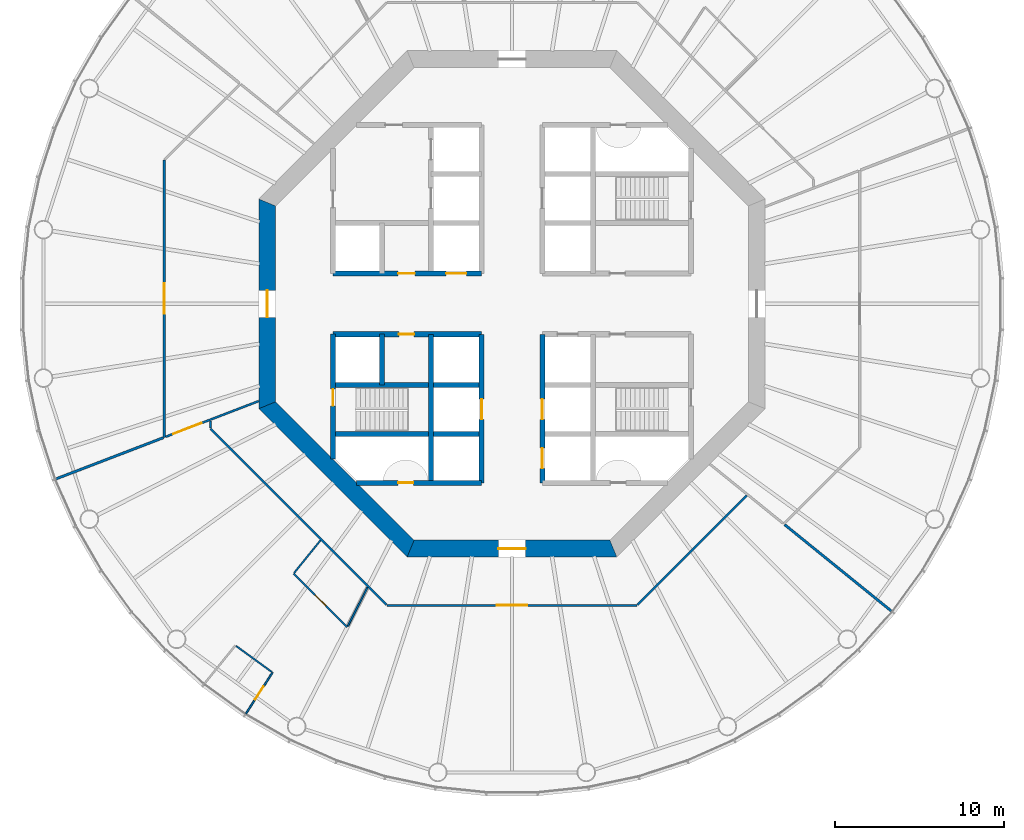
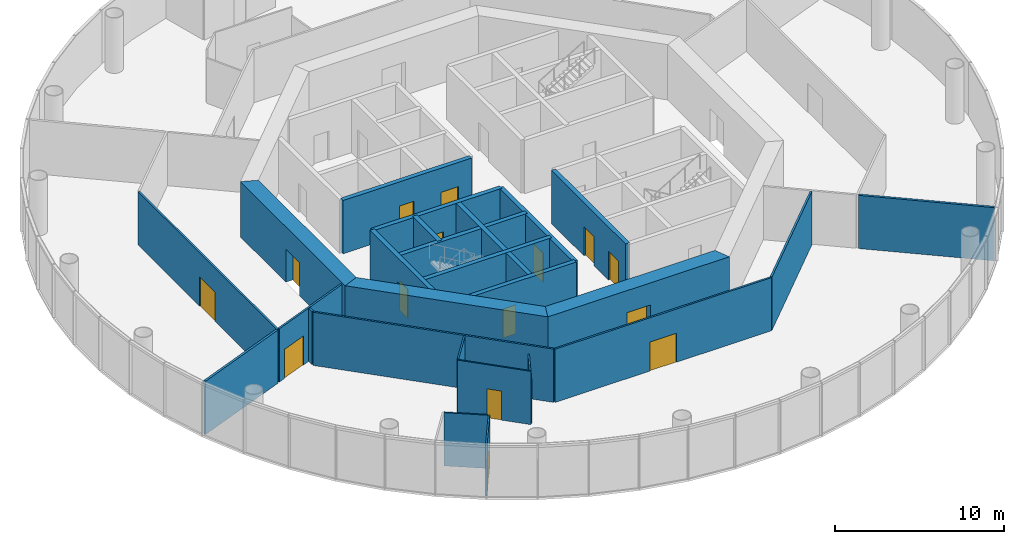
# One storey, part 3 of 12: 26 walls, 15 doors, 15 openings.
"""IFC4 building model written with IfcOpenShell, lengths in metres."""

from ifc_helpers import new_model, si_unit, direction, frame, frame_2d, origin, place, context, subcontext, project, spatial, polyline, rectangle, outline, extrude, material, layer, layer_set, type_object, element, fill, save


model = new_model("IFC4")

# Units and contexts
model_context = context("Model", 3, precision=1e-05, world=origin(), true_north=direction((0.0, 1.0)))
body_context = subcontext(model_context, "Body", "Model", "MODEL_VIEW")
ifc_project = project(units=[si_unit("LENGTHUNIT", "METRE"), si_unit("AREAUNIT", "SQUARE_METRE"), si_unit("VOLUMEUNIT", "CUBIC_METRE"), si_unit("PLANEANGLEUNIT", "RADIAN"), si_unit("MASSUNIT", "GRAM", prefix="KILO")], contexts=[model_context])

# Site, building, storey
site_placement = place(None, origin())
site = spatial("IfcSite", under=ifc_project, at=site_placement, CompositionType="ELEMENT")
building_placement = place(site_placement, origin())
building = spatial("IfcBuilding", under=site, at=building_placement, Name="Entoto Ring Tower", CompositionType="ELEMENT")
storey_placement = place(building_placement, frame((0.0, 0.0, 148.0)))
storey = spatial("IfcBuildingStorey", under=building, at=storey_placement, Name="L33", CompositionType="ELEMENT", Elevation=148.0)

# Wall, openings, doors
ifc_material_1 = material(Name="Concrete C40/50", Category="concrete")
ifc_layer_1 = layer(ifc_material_1, 0.300048828125)
ifc_layer_set_1 = layer_set([ifc_layer_1], Name="Concrete C40/50")
wall_type_1 = type_object("IfcWallType", Name="Core enclosure wall 300 mm reinforced concrete", PredefinedType="SOLIDWALL", material=ifc_layer_set_1)
wall_1_placement = place(storey_placement, frame((91.800048828125, 69.39990234375, 0.0), z_axis=(0.0, 0.0, 1.0), x_axis=(0.0, 1.0, 0.0)))
wall_1 = element("IfcWall", 1, at=wall_1_placement, inside=storey, type_object=wall_type_1, Name="wall-L33-005", PredefinedType="SOLIDWALL", context=body_context, shape_type="SweptSolid", body=[
    extrude(rectangle(XDim=8.800048828125, YDim=0.300048828125, at=frame_2d((4.39990234375, 0.0))), origin(), (0.0, 0.0, 1.0), 3.85009765625),
])
opening_1_placement = place(wall_1_placement, frame((3.75, 0.0, 0.0)))
opening_1 = element("IfcOpeningElement", 2, at=opening_1_placement, cuts=wall_1, Name="Opening LD", PredefinedType="OPENING", context=body_context, shape_type="SweptSolid", body=[
    extrude(rectangle(XDim=1.199951171875, YDim=2.10009765625, at=frame_2d((0.60009765625, 1.050048828125))), frame((0.0, 0.16015625, 0.0), z_axis=(0.0, -1.0, 0.0), x_axis=(1.0, 0.0, 0.0)), (0.0, 0.0, 1.0), 0.320068359375),
])
opening_2_placement = place(wall_1_placement, frame((0.85009765625, 0.0, 0.0)))
opening_2 = element("IfcOpeningElement", 3, at=opening_2_placement, cuts=wall_1, Name="Opening LD", PredefinedType="OPENING", context=body_context, shape_type="SweptSolid", body=[
    extrude(rectangle(XDim=1.199951171875, YDim=2.10009765625, at=frame_2d((0.60009765625, 1.050048828125))), frame((0.0, 0.16015625, 0.0), z_axis=(0.0, -1.0, 0.0), x_axis=(1.0, 0.0, 0.0)), (0.0, 0.0, 1.0), 0.320068359375),
])
ifc_material_2 = material(Name="Steel and glass door leaf", Category="steel")
ifc_layer_2 = layer(ifc_material_2, 0.050048828125)
ifc_layer_set_2 = layer_set([ifc_layer_2], Name="Steel and glass door leaf")
door_type_1 = type_object("IfcDoorType", Name="Landing door 1200 x 2100 sliding", OperationType="DOUBLE_DOOR_SLIDING", PredefinedType="DOOR", material=ifc_layer_set_2)
door_1_placement = place(opening_1_placement, origin())
door_1 = element("IfcDoor", 4, at=door_1_placement, inside=storey, type_object=door_type_1, Name="Landing door LB2-MR", OperationType="SLIDING_TO_RIGHT", OverallHeight=2.10009765625, OverallWidth=1.199951171875, PredefinedType="DOOR", context=body_context, shape_type="SweptSolid", body=[
    extrude(rectangle(XDim=1.199951171875, YDim=2.10009765625, at=frame_2d((0.60009765625, 1.050048828125))), frame((0.0, 0.02490234375, 0.0), z_axis=(0.0, -1.0, 0.0), x_axis=(1.0, 0.0, 0.0)), (0.0, 0.0, 1.0), 0.050048828125),
])
fill(opening_1, door_1)
door_2_placement = place(opening_2_placement, origin())
door_2 = element("IfcDoor", 5, at=door_2_placement, inside=storey, type_object=door_type_1, Name="Landing door LB3-MR", OperationType="SLIDING_TO_RIGHT", OverallHeight=2.10009765625, OverallWidth=1.199951171875, PredefinedType="DOOR", context=body_context, shape_type="SweptSolid", body=[
    extrude(rectangle(XDim=1.199951171875, YDim=2.10009765625, at=frame_2d((0.60009765625, 1.050048828125))), frame((0.0, 0.02490234375, 0.0), z_axis=(0.0, -1.0, 0.0), x_axis=(1.0, 0.0, 0.0)), (0.0, 0.0, 1.0), 0.050048828125),
])
fill(opening_2, door_2)

# Wall, opening, door
wall_2_placement = place(storey_placement, frame((88.199951171875, 69.39990234375, 0.0), z_axis=(0.0, 0.0, 1.0), x_axis=(0.0, 1.0, 0.0)))
wall_2 = element("IfcWall", 6, at=wall_2_placement, inside=storey, type_object=wall_type_1, Name="wall-L33-007", PredefinedType="SOLIDWALL", context=body_context, shape_type="SweptSolid", body=[
    extrude(rectangle(XDim=8.800048828125, YDim=0.300048828125, at=frame_2d((4.39990234375, 0.0))), origin(), (0.0, 0.0, 1.0), 3.85009765625),
])
opening_3_placement = place(wall_2_placement, frame((3.75, 0.0, 0.0)))
opening_3 = element("IfcOpeningElement", 7, at=opening_3_placement, cuts=wall_2, Name="Opening LD", PredefinedType="OPENING", context=body_context, shape_type="SweptSolid", body=[
    extrude(rectangle(XDim=1.199951171875, YDim=2.10009765625, at=frame_2d((0.60009765625, 1.050048828125))), frame((0.0, 0.16015625, 0.0), z_axis=(0.0, -1.0, 0.0), x_axis=(1.0, 0.0, 0.0)), (0.0, 0.0, 1.0), 0.320068359375),
])
door_3_placement = place(opening_3_placement, origin())
door_3 = element("IfcDoor", 8, at=door_3_placement, inside=storey, type_object=door_type_1, Name="Landing door LB4-MR", OperationType="SLIDING_TO_RIGHT", OverallHeight=2.10009765625, OverallWidth=1.199951171875, PredefinedType="DOOR", context=body_context, shape_type="SweptSolid", body=[
    extrude(rectangle(XDim=1.199951171875, YDim=2.10009765625, at=frame_2d((0.60009765625, 1.050048828125))), frame((0.0, 0.02490234375, 0.0), z_axis=(0.0, -1.0, 0.0), x_axis=(1.0, 0.0, 0.0)), (0.0, 0.0, 1.0), 0.050048828125),
])
fill(opening_3, door_3)

# Walls
wall_3_placement = place(storey_placement, frame((85.199951171875, 69.39990234375, 0.0), z_axis=(0.0, 0.0, 1.0), x_axis=(0.0, 1.0, 0.0)))
element("IfcWall", 9, at=wall_3_placement, inside=storey, type_object=wall_type_1, Name="wall-L33-009", PredefinedType="SOLIDWALL", context=body_context, shape_type="SweptSolid", body=[
    extrude(rectangle(XDim=8.800048828125, YDim=0.300048828125, at=frame_2d((4.39990234375, 0.0))), origin(), (0.0, 0.0, 1.0), 3.85009765625),
])
wall_4_placement = place(storey_placement, frame((82.300048828125, 75.199951171875, 0.0), z_axis=(0.0, 0.0, 1.0), x_axis=(0.0, 1.0, 0.0)))
element("IfcWall", 10, at=wall_4_placement, inside=storey, type_object=wall_type_1, Name="wall-L33-011", PredefinedType="SOLIDWALL", context=body_context, shape_type="SweptSolid", body=[
    extrude(rectangle(XDim=3.0, YDim=0.300048828125, at=frame_2d((1.5, 0.0))), origin(), (0.0, 0.0, 1.0), 3.85009765625),
])

# Wall, opening, door
wall_5_placement = place(storey_placement, frame((79.39990234375, 70.801025390625, 0.0), z_axis=(0.0, 0.0, 1.0), x_axis=(0.0, 1.0, 0.0)))
wall_5 = element("IfcWall", 11, at=wall_5_placement, inside=storey, type_object=wall_type_1, Name="wall-L33-013", PredefinedType="SOLIDWALL", context=body_context, shape_type="SweptSolid", body=[
    extrude(rectangle(XDim=7.39892578125, YDim=0.300048828125, at=frame_2d((3.699462890625, 0.0))), origin(), (0.0, 0.0, 1.0), 3.85009765625),
])
opening_4_placement = place(wall_5_placement, frame((3.14892578125, 0.0, 0.0)))
opening_4 = element("IfcOpeningElement", 12, at=opening_4_placement, cuts=wall_5, Name="Opening K-55", PredefinedType="OPENING", context=body_context, shape_type="SweptSolid", body=[
    extrude(rectangle(XDim=1.0, YDim=2.10009765625, at=frame_2d((0.5, 1.050048828125))), frame((0.0, 0.16015625, 0.0), z_axis=(0.0, -1.0, 0.0), x_axis=(1.0, 0.0, 0.0)), (0.0, 0.0, 1.0), 0.320068359375),
])
ifc_material_3 = material(Name="Steel door leaf, fire rated", Category="steel")
ifc_layer_3 = layer(ifc_material_3, 0.050048828125)
ifc_layer_set_3 = layer_set([ifc_layer_3], Name="Steel door leaf, fire rated")
door_type_2 = type_object("IfcDoorType", Name="Fire door FD60 1000 x 2100 single leaf", OperationType="NOTDEFINED", PredefinedType="DOOR", material=ifc_layer_set_3)
door_4_placement = place(opening_4_placement, frame((1.0, 0.0, 0.0), z_axis=(0.0, 0.0, 1.0), x_axis=(-1.0, 0.0, 0.0)))
door_4 = element("IfcDoor", 13, at=door_4_placement, inside=storey, type_object=door_type_2, Name="Door K-55", OperationType="SINGLE_SWING_LEFT", OverallHeight=2.10009765625, OverallWidth=1.0, PredefinedType="DOOR", context=body_context, shape_type="SweptSolid", body=[
    extrude(rectangle(XDim=1.0, YDim=2.10009765625, at=frame_2d((0.5, 1.050048828125))), frame((0.0, 0.02490234375, 0.0), z_axis=(0.0, -1.0, 0.0), x_axis=(1.0, 0.0, 0.0)), (0.0, 0.0, 1.0), 0.050048828125),
])
fill(opening_4, door_4)

wall_6_placement = place(storey_placement, frame((80.801025390625, 69.39990234375, 0.0), z_axis=(0.0, 0.0, 1.0), x_axis=(1.0, 0.0, 0.0)))
wall_6 = element("IfcWall", 14, at=wall_6_placement, inside=storey, type_object=wall_type_1, Name="wall-L33-015", PredefinedType="SOLIDWALL", context=body_context, shape_type="SweptSolid", body=[
    extrude(rectangle(XDim=7.39892578125, YDim=0.300048828125, at=frame_2d((3.699462890625, 0.0))), origin(), (0.0, 0.0, 1.0), 3.85009765625),
])
opening_5_placement = place(wall_6_placement, frame((2.448974609375, 0.0, 0.0)))
opening_5 = element("IfcOpeningElement", 15, at=opening_5_placement, cuts=wall_6, Name="Opening K-62", PredefinedType="OPENING", context=body_context, shape_type="SweptSolid", body=[
    extrude(rectangle(XDim=0.89990234375, YDim=2.10009765625, at=frame_2d((0.449951171875, 1.050048828125))), frame((0.0, 0.16015625, 0.0), z_axis=(0.0, -1.0, 0.0), x_axis=(1.0, 0.0, 0.0)), (0.0, 0.0, 1.0), 0.320068359375),
])
ifc_material_4 = material(Name="Steel door leaf, fire rated", Category="steel")
ifc_layer_4 = layer(ifc_material_4, 0.050048828125)
ifc_layer_set_4 = layer_set([ifc_layer_4], Name="Steel door leaf, fire rated")
door_type_3 = type_object("IfcDoorType", Name="Riser door FD60 900 x 2100 single leaf", OperationType="NOTDEFINED", PredefinedType="DOOR", material=ifc_layer_set_4)
door_5_placement = place(opening_5_placement, origin())
door_5 = element("IfcDoor", 16, at=door_5_placement, inside=storey, type_object=door_type_3, Name="Door K-62", OperationType="SINGLE_SWING_RIGHT", OverallHeight=2.10009765625, OverallWidth=0.89990234375, PredefinedType="DOOR", context=body_context, shape_type="SweptSolid", body=[
    extrude(rectangle(XDim=0.89990234375, YDim=2.10009765625, at=frame_2d((0.449951171875, 1.050048828125))), frame((0.0, 0.02490234375, 0.0), z_axis=(0.0, -1.0, 0.0), x_axis=(1.0, 0.0, 0.0)), (0.0, 0.0, 1.0), 0.050048828125),
])
fill(opening_5, door_5)

# Walls
for number, where, z_axis, x_axis, name in (
    (17, (79.39990234375, 72.300048828125, 0.0), (0.0, 0.0, 1.0), (1.0, 0.0, 0.0), "wall-L33-017"),
    (18, (79.39990234375, 75.199951171875, 0.0), (0.0, 0.0, 1.0), (1.0, 0.0, 0.0), "wall-L33-019"),
):
    element("IfcWall", number, at=place(storey_placement, frame(where, z_axis=z_axis, x_axis=x_axis)), inside=storey, type_object=wall_type_1, Name=name, PredefinedType="SOLIDWALL", context=body_context, shape_type="SweptSolid", body=[
        extrude(rectangle(XDim=8.800048828125, YDim=0.300048828125, at=frame_2d((4.39990234375, 0.0))), origin(), (0.0, 0.0, 1.0), 3.85009765625),
    ])

# Wall, opening, door
wall_7_placement = place(storey_placement, frame((79.39990234375, 78.199951171875, 0.0), z_axis=(0.0, 0.0, 1.0), x_axis=(1.0, 0.0, 0.0)))
wall_7 = element("IfcWall", 19, at=wall_7_placement, inside=storey, type_object=wall_type_1, Name="wall-L33-021", PredefinedType="SOLIDWALL", context=body_context, shape_type="SweptSolid", body=[
    extrude(rectangle(XDim=8.800048828125, YDim=0.300048828125, at=frame_2d((4.39990234375, 0.0))), origin(), (0.0, 0.0, 1.0), 3.85009765625),
])
opening_6_placement = place(wall_7_placement, frame((3.89990234375, 0.0, 0.0)))
opening_6 = element("IfcOpeningElement", 20, at=opening_6_placement, cuts=wall_7, Name="Opening K-14", PredefinedType="OPENING", context=body_context, shape_type="SweptSolid", body=[
    extrude(rectangle(XDim=0.89990234375, YDim=2.10009765625, at=frame_2d((0.449951171875, 1.050048828125))), frame((0.0, 0.16015625, 0.0), z_axis=(0.0, -1.0, 0.0), x_axis=(1.0, 0.0, 0.0)), (0.0, 0.0, 1.0), 0.320068359375),
])
ifc_material_5 = material(Name="Steel door leaf, fire rated", Category="steel")
ifc_layer_5 = layer(ifc_material_5, 0.050048828125)
ifc_layer_set_5 = layer_set([ifc_layer_5], Name="Steel door leaf, fire rated")
door_type_4 = type_object("IfcDoorType", Name="Core door 900 x 2100 single leaf", OperationType="NOTDEFINED", PredefinedType="DOOR", material=ifc_layer_set_5)
door_6_placement = place(opening_6_placement, frame((0.89990234375, 0.0, 0.0), z_axis=(0.0, 0.0, 1.0), x_axis=(-1.0, 0.0, 0.0)))
door_6 = element("IfcDoor", 21, at=door_6_placement, inside=storey, type_object=door_type_4, Name="Door K-14", OperationType="SINGLE_SWING_LEFT", OverallHeight=2.10009765625, OverallWidth=0.89990234375, PredefinedType="DOOR", context=body_context, shape_type="SweptSolid", body=[
    extrude(rectangle(XDim=0.89990234375, YDim=2.10009765625, at=frame_2d((0.449951171875, 1.050048828125))), frame((0.0, 0.02490234375, 0.0), z_axis=(0.0, -1.0, 0.0), x_axis=(1.0, 0.0, 0.0)), (0.0, 0.0, 1.0), 0.050048828125),
])
fill(opening_6, door_6)

# Wall, openings, doors
wall_8_placement = place(storey_placement, frame((79.39990234375, 81.800048828125, 0.0), z_axis=(0.0, 0.0, 1.0), x_axis=(1.0, 0.0, 0.0)))
wall_8 = element("IfcWall", 22, at=wall_8_placement, inside=storey, type_object=wall_type_1, Name="wall-L33-023", PredefinedType="SOLIDWALL", context=body_context, shape_type="SweptSolid", body=[
    extrude(rectangle(XDim=8.800048828125, YDim=0.300048828125, at=frame_2d((4.39990234375, 0.0))), origin(), (0.0, 0.0, 1.0), 3.85009765625),
])
opening_7_placement = place(wall_8_placement, frame((6.699951171875, 0.0, 0.0)))
opening_7 = element("IfcOpeningElement", 23, at=opening_7_placement, cuts=wall_8, Name="Opening LD", PredefinedType="OPENING", context=body_context, shape_type="SweptSolid", body=[
    extrude(rectangle(XDim=1.199951171875, YDim=2.10009765625, at=frame_2d((0.60009765625, 1.050048828125))), frame((0.0, 0.16015625, 0.0), z_axis=(0.0, -1.0, 0.0), x_axis=(1.0, 0.0, 0.0)), (0.0, 0.0, 1.0), 0.320068359375),
])
opening_8_placement = place(wall_8_placement, frame((3.85009765625, 0.0, 0.0)))
opening_8 = element("IfcOpeningElement", 24, at=opening_8_placement, cuts=wall_8, Name="Opening K-13", PredefinedType="OPENING", context=body_context, shape_type="SweptSolid", body=[
    extrude(rectangle(XDim=1.0, YDim=2.10009765625, at=frame_2d((0.5, 1.050048828125))), frame((0.0, 0.16015625, 0.0), z_axis=(0.0, -1.0, 0.0), x_axis=(1.0, 0.0, 0.0)), (0.0, 0.0, 1.0), 0.320068359375),
])
ifc_material_6 = material(Name="Steel door leaf, fire rated", Category="steel")
ifc_layer_6 = layer(ifc_material_6, 0.050048828125)
ifc_layer_set_6 = layer_set([ifc_layer_6], Name="Steel door leaf, fire rated")
door_type_5 = type_object("IfcDoorType", Name="Accessible door 1000 x 2100 single leaf", OperationType="NOTDEFINED", PredefinedType="DOOR", material=ifc_layer_set_6)
door_7_placement = place(opening_8_placement, origin())
door_7 = element("IfcDoor", 25, at=door_7_placement, inside=storey, type_object=door_type_5, Name="Door K-13", OperationType="SINGLE_SWING_LEFT", OverallHeight=2.10009765625, OverallWidth=1.0, PredefinedType="DOOR", context=body_context, shape_type="SweptSolid", body=[
    extrude(rectangle(XDim=1.0, YDim=2.10009765625, at=frame_2d((0.5, 1.050048828125))), frame((0.0, 0.02490234375, 0.0), z_axis=(0.0, -1.0, 0.0), x_axis=(1.0, 0.0, 0.0)), (0.0, 0.0, 1.0), 0.050048828125),
])
fill(opening_8, door_7)
door_8_placement = place(opening_7_placement, origin())
door_8 = element("IfcDoor", 26, at=door_8_placement, inside=storey, type_object=door_type_1, Name="Landing door LB5-MR", OperationType="SLIDING_TO_LEFT", OverallHeight=2.10009765625, OverallWidth=1.199951171875, PredefinedType="DOOR", context=body_context, shape_type="SweptSolid", body=[
    extrude(rectangle(XDim=1.199951171875, YDim=2.10009765625, at=frame_2d((0.60009765625, 1.050048828125))), frame((0.0, 0.02490234375, 0.0), z_axis=(0.0, -1.0, 0.0), x_axis=(1.0, 0.0, 0.0)), (0.0, 0.0, 1.0), 0.050048828125),
])
fill(opening_7, door_8)

# Wall, opening, door
ifc_material_7 = material(Name="Concrete C50/60", Category="concrete")
ifc_layer_7 = layer(ifc_material_7, 1.0)
ifc_layer_set_7 = layer_set([ifc_layer_7], Name="Concrete C50/60")
wall_type_2 = type_object("IfcWallType", Name="Core shear wall 1000 mm reinforced concrete C50/60", PredefinedType="SHEAR", material=ifc_layer_set_7)
wall_9_placement = place(storey_placement, frame((75.5, 86.006103515625, 0.0), z_axis=(0.0, 0.0, 1.0), x_axis=(0.0, -1.0, 0.0)))
wall_9 = element("IfcWall", 27, at=wall_9_placement, inside=storey, type_object=wall_type_2, Name="wall-L33-core-4", PredefinedType="SHEAR", context=body_context, shape_type="SweptSolid", body=[
    extrude(outline(polyline([(-0.20703125, -0.5), (12.21923828125, -0.5), (11.80517578125, 0.5), (0.20703125, 0.5), (-0.20703125, -0.5)])), origin(), (0.0, 0.0, 1.0), 4.0),
])
opening_9_placement = place(wall_9_placement, frame((5.2060546875, 0.0, 0.0)))
opening_9 = element("IfcOpeningElement", 28, at=opening_9_placement, cuts=wall_9, Name="Opening K-03", PredefinedType="OPENING", context=body_context, shape_type="SweptSolid", body=[
    extrude(rectangle(XDim=1.60009765625, YDim=2.39990234375, at=frame_2d((0.800048828125, 1.199951171875))), frame((0.0, 0.510009765625, 0.0), z_axis=(0.0, -1.0, 0.0), x_axis=(1.0, 0.0, 0.0)), (0.0, 0.0, 1.0), 1.02001953125),
])
ifc_material_8 = material(Name="Steel door leaf, fire rated", Category="steel")
ifc_layer_8 = layer(ifc_material_8, 0.050048828125)
ifc_layer_set_8 = layer_set([ifc_layer_8], Name="Steel door leaf, fire rated")
door_type_6 = type_object("IfcDoorType", Name="Entrance door FD60 1600 x 2400 double leaf", OperationType="DOUBLE_DOOR_SINGLE_SWING", PredefinedType="DOOR", material=ifc_layer_set_8)
door_9_placement = place(opening_9_placement, origin())
door_9 = element("IfcDoor", 29, at=door_9_placement, inside=storey, type_object=door_type_6, Name="Entrance door K-03", OperationType="DOUBLE_DOOR_SINGLE_SWING", OverallHeight=2.39990234375, OverallWidth=1.60009765625, PredefinedType="DOOR", context=body_context, shape_type="SweptSolid", body=[
    extrude(rectangle(XDim=1.60009765625, YDim=2.39990234375, at=frame_2d((0.800048828125, 1.199951171875))), frame((0.0, 0.02490234375, 0.0), z_axis=(0.0, -1.0, 0.0), x_axis=(1.0, 0.0, 0.0)), (0.0, 0.0, 1.0), 0.050048828125),
])
fill(opening_9, door_9)

# Wall
wall_10_placement = place(storey_placement, frame((75.5, 73.993896484375, 0.0), z_axis=(0.0, 0.0, 1.0), x_axis=(0.707106781187, -0.707106781187, 0.0)))
element("IfcWall", 30, at=wall_10_placement, inside=storey, type_object=wall_type_2, Name="wall-L33-core-5", PredefinedType="SHEAR", context=body_context, shape_type="SweptSolid", body=[
    extrude(outline(polyline([(-0.20703125, -0.5), (12.21923828125, -0.5), (11.80517578125, 0.5), (0.20703125, 0.5), (-0.20703125, -0.5)])), origin(), (0.0, 0.0, 1.0), 4.0),
])

# Wall, opening, door
wall_11_placement = place(storey_placement, frame((83.993896484375, 65.5, 0.0), z_axis=(0.0, 0.0, 1.0), x_axis=(1.0, 0.0, 0.0)))
wall_11 = element("IfcWall", 31, at=wall_11_placement, inside=storey, type_object=wall_type_2, Name="wall-L33-core-6", PredefinedType="SHEAR", context=body_context, shape_type="SweptSolid", body=[
    extrude(outline(polyline([(-0.20703125, -0.5), (12.21923828125, -0.5), (11.80517578125, 0.5), (0.20703125, 0.5), (-0.20703125, -0.5)])), origin(), (0.0, 0.0, 1.0), 4.0),
])
opening_10_placement = place(wall_11_placement, frame((5.2060546875, 0.0, 0.0)))
opening_10 = element("IfcOpeningElement", 32, at=opening_10_placement, cuts=wall_11, Name="Opening K-04", PredefinedType="OPENING", context=body_context, shape_type="SweptSolid", body=[
    extrude(rectangle(XDim=1.60009765625, YDim=2.39990234375, at=frame_2d((0.800048828125, 1.199951171875))), frame((0.0, 0.510009765625, 0.0), z_axis=(0.0, -1.0, 0.0), x_axis=(1.0, 0.0, 0.0)), (0.0, 0.0, 1.0), 1.02001953125),
])
door_10_placement = place(opening_10_placement, origin())
door_10 = element("IfcDoor", 33, at=door_10_placement, inside=storey, type_object=door_type_6, Name="Entrance door K-04", OperationType="DOUBLE_DOOR_SINGLE_SWING", OverallHeight=2.39990234375, OverallWidth=1.60009765625, PredefinedType="DOOR", context=body_context, shape_type="SweptSolid", body=[
    extrude(rectangle(XDim=1.60009765625, YDim=2.39990234375, at=frame_2d((0.800048828125, 1.199951171875))), frame((0.0, 0.02490234375, 0.0), z_axis=(0.0, -1.0, 0.0), x_axis=(1.0, 0.0, 0.0)), (0.0, 0.0, 1.0), 0.050048828125),
])
fill(opening_10, door_10)

ifc_material_9 = material(Name="Fire-resisting plasterboard on steel studs", Category="steel")
ifc_layer_9 = layer(ifc_material_9, 0.125)
ifc_layer_set_9 = layer_set([ifc_layer_9], Name="Fire-resisting plasterboard on steel studs")
wall_type_3 = type_object("IfcWallType", Name="Corridor wall 125 mm one-hour plasterboard on steel studs", PredefinedType="PARTITIONING", material=ifc_layer_set_9)
wall_12_placement = place(storey_placement, frame((69.39990234375, 72.09228515625, 0.0), z_axis=(0.0, 0.0, 1.0), x_axis=(0.0, 1.0, 0.0)))
wall_12 = element("IfcWall", 34, at=wall_12_placement, inside=storey, type_object=wall_type_3, Name="partition-L33-001", PredefinedType="PARTITIONING", context=body_context, shape_type="SweptSolid", body=[
    extrude(rectangle(XDim=16.4404296875, YDim=0.125, at=frame_2d((8.22021484375, 0.0))), origin(), (0.0, 0.0, 1.0), 3.85009765625),
])
opening_11_placement = place(wall_12_placement, frame((7.3203125, 0.0, 0.0)))
opening_11 = element("IfcOpeningElement", 35, at=opening_11_placement, cuts=wall_12, Name="Opening A15-D02", PredefinedType="OPENING", context=body_context, shape_type="SweptSolid", body=[
    extrude(rectangle(XDim=1.800048828125, YDim=2.10009765625, at=frame_2d((0.89990234375, 1.050048828125))), frame((0.0, 0.072509765625, 0.0), z_axis=(0.0, -1.0, 0.0), x_axis=(1.0, 0.0, 0.0)), (0.0, 0.0, 1.0), 0.14501953125),
])
ifc_material_10 = material(Name="Fire-resisting timber door set", Category="wood")
door_type_7 = type_object("IfcDoorType", Name="Door 1800 x 2100 double leaf FD30S fire door", OperationType="DOUBLE_DOOR_SINGLE_SWING", PredefinedType="DOOR", material=ifc_material_10)
door_11_placement = place(opening_11_placement, origin())
door_11 = element("IfcDoor", 36, at=door_11_placement, inside=storey, type_object=door_type_7, Name="Door A15-D02", OperationType="DOUBLE_DOOR_SINGLE_SWING", OverallHeight=2.10009765625, OverallWidth=1.800048828125, PredefinedType="DOOR", context=body_context, shape_type="SweptSolid", body=[
    extrude(rectangle(XDim=1.800048828125, YDim=2.10009765625, at=frame_2d((0.89990234375, 1.050048828125))), frame((0.0, 0.02490234375, 0.0), z_axis=(0.0, -1.0, 0.0), x_axis=(1.0, 0.0, 0.0)), (0.0, 0.0, 1.0), 0.050048828125),
])
fill(opening_11, door_11)

wall_13_placement = place(storey_placement, frame((82.60107421875, 62.137451171875, 0.0), z_axis=(0.0, 0.0, 1.0), x_axis=(1.0, 0.0, 0.0)))
wall_13 = element("IfcWall", 37, at=wall_13_placement, inside=storey, type_object=wall_type_3, Name="partition-L33-003", PredefinedType="PARTITIONING", context=body_context, shape_type="SweptSolid", body=[
    extrude(rectangle(XDim=14.7978515625, YDim=0.125, at=frame_2d((7.39892578125, 0.0))), origin(), (0.0, 0.0, 1.0), 3.85009765625),
])
opening_12_placement = place(wall_13_placement, frame((6.498779296875, 0.0, 0.0)))
opening_12 = element("IfcOpeningElement", 38, at=opening_12_placement, cuts=wall_13, Name="Opening A15-D09", PredefinedType="OPENING", context=body_context, shape_type="SweptSolid", body=[
    extrude(rectangle(XDim=1.800048828125, YDim=2.10009765625, at=frame_2d((0.89990234375, 1.050048828125))), frame((0.0, 0.072509765625, 0.0), z_axis=(0.0, -1.0, 0.0), x_axis=(1.0, 0.0, 0.0)), (0.0, 0.0, 1.0), 0.14501953125),
])
door_12_placement = place(opening_12_placement, origin())
door_12 = element("IfcDoor", 39, at=door_12_placement, inside=storey, type_object=door_type_7, Name="Door A15-D09", OperationType="DOUBLE_DOOR_SINGLE_SWING", OverallHeight=2.10009765625, OverallWidth=1.800048828125, PredefinedType="DOOR", context=body_context, shape_type="SweptSolid", body=[
    extrude(rectangle(XDim=1.800048828125, YDim=2.10009765625, at=frame_2d((0.89990234375, 1.050048828125))), frame((0.0, 0.02490234375, 0.0), z_axis=(0.0, -1.0, 0.0), x_axis=(1.0, 0.0, 0.0)), (0.0, 0.0, 1.0), 0.050048828125),
])
fill(opening_12, door_12)

# Walls
wall_14_placement = place(storey_placement, frame((82.570068359375, 62.168701171875, 0.0), z_axis=(0.0, 0.0, 1.0), x_axis=(-0.707115054973, 0.707098507303, 0.0)))
element("IfcWall", 40, at=wall_14_placement, inside=storey, type_object=wall_type_3, Name="partition-L33-005", PredefinedType="PARTITIONING", context=body_context, shape_type="SweptSolid", body=[
    extrude(rectangle(XDim=14.753662109375, YDim=0.125, at=frame_2d((7.376953125, 0.0))), origin(), (0.0, 0.0, 1.0), 3.85009765625),
])
wall_15_placement = place(storey_placement, frame((97.429931640625, 62.168701171875, 0.0), z_axis=(0.0, 0.0, 1.0), x_axis=(0.707120103343, 0.707093458779, 0.0)))
element("IfcWall", 41, at=wall_15_placement, inside=storey, type_object=wall_type_3, Name="partition-L33-008", PredefinedType="PARTITIONING", context=body_context, shape_type="SweptSolid", body=[
    extrude(rectangle(XDim=9.162841796875, YDim=0.125, at=frame_2d((4.58154296875, 0.0))), origin(), (0.0, 0.0, 1.0), 3.85009765625),
])

# Wall, opening, door
wall_16_placement = place(storey_placement, frame((69.484619140625, 72.125, 0.0), z_axis=(0.0, 0.0, 1.0), x_axis=(0.933592488158, 0.358336526264, 0.0)))
wall_16 = element("IfcWall", 42, at=wall_16_placement, inside=storey, type_object=wall_type_3, Name="partition-L33-011", PredefinedType="PARTITIONING", context=body_context, shape_type="SweptSolid", body=[
    extrude(rectangle(XDim=5.90771484375, YDim=0.125, at=frame_2d((2.953857421875, 0.0))), origin(), (0.0, 0.0, 1.0), 3.85009765625),
])
opening_13_placement = place(wall_16_placement, frame((0.475341796875, 0.0, 0.0)))
opening_13 = element("IfcOpeningElement", 43, at=opening_13_placement, cuts=wall_16, Name="Opening A15-D10", PredefinedType="OPENING", context=body_context, shape_type="SweptSolid", body=[
    extrude(rectangle(XDim=1.800048828125, YDim=2.10009765625, at=frame_2d((0.89990234375, 1.050048828125))), frame((0.0, 0.072509765625, 0.0), z_axis=(0.0, -1.0, 0.0), x_axis=(1.0, 0.0, 0.0)), (0.0, 0.0, 1.0), 0.14501953125),
])
door_13_placement = place(opening_13_placement, origin())
door_13 = element("IfcDoor", 44, at=door_13_placement, inside=storey, type_object=door_type_7, Name="Door A15-D10", OperationType="DOUBLE_DOOR_SINGLE_SWING", OverallHeight=2.10009765625, OverallWidth=1.800048828125, PredefinedType="DOOR", context=body_context, shape_type="SweptSolid", body=[
    extrude(rectangle(XDim=1.800048828125, YDim=2.10009765625, at=frame_2d((0.89990234375, 1.050048828125))), frame((0.0, 0.02490234375, 0.0), z_axis=(0.0, -1.0, 0.0), x_axis=(1.0, 0.0, 0.0)), (0.0, 0.0, 1.0), 0.050048828125),
])
fill(opening_13, door_13)

# Wall
wall_17_placement = place(storey_placement, frame((72.137451171875, 72.64501953125, 0.0), z_axis=(0.0, 0.0, 1.0), x_axis=(0.0, 1.0, 0.0)))
element("IfcWall", 45, at=wall_17_placement, inside=storey, type_object=wall_type_3, Name="partition-L33-015", PredefinedType="PARTITIONING", context=body_context, shape_type="SweptSolid", body=[
    extrude(rectangle(XDim=0.407470703125, YDim=0.125, at=frame_2d((0.20361328125, 0.0))), origin(), (0.0, 0.0, 1.0), 3.85009765625),
])

# Wall, opening, door
ifc_material_11 = material(Name="Plasterboard on steel studs", Category="steel")
ifc_layer_10 = layer(ifc_material_11, 0.10009765625)
ifc_layer_set_10 = layer_set([ifc_layer_10], Name="Plasterboard on steel studs")
wall_type_4 = type_object("IfcWallType", Name="Partition 100 mm plasterboard on steel studs", PredefinedType="PARTITIONING", material=ifc_layer_set_10)
wall_18_placement = place(storey_placement, frame((80.24169921875, 60.84814453125, 0.0), z_axis=(0.0, 0.0, 1.0), x_axis=(-0.707106781187, 0.707106781187, 0.0)))
wall_18 = element("IfcWall", 46, at=wall_18_placement, inside=storey, type_object=wall_type_4, Name="partition-L33-024", PredefinedType="PARTITIONING", context=body_context, shape_type="SweptSolid", body=[
    extrude(rectangle(XDim=4.49365234375, YDim=0.10009765625, at=frame_2d((2.246826171875, 0.0))), origin(), (0.0, 0.0, 1.0), 3.85009765625),
])
opening_14_placement = place(wall_18_placement, frame((1.796875, 0.0, 0.0)))
opening_14 = element("IfcOpeningElement", 47, at=opening_14_placement, cuts=wall_18, Name="Opening A15-D11", PredefinedType="OPENING", context=body_context, shape_type="SweptSolid", body=[
    extrude(rectangle(XDim=0.89990234375, YDim=2.10009765625, at=frame_2d((0.449951171875, 1.050048828125))), frame((0.0, 0.06005859375, 0.0), z_axis=(0.0, -1.0, 0.0), x_axis=(1.0, 0.0, 0.0)), (0.0, 0.0, 1.0), 0.1201171875),
])
ifc_material_12 = material(Name="Veneered timber door leaf in timber frame", Category="wood")
door_type_8 = type_object("IfcDoorType", Name="Door 900 x 2100 single leaf timber veneer", OperationType="NOTDEFINED", PredefinedType="DOOR", material=ifc_material_12)
door_14_placement = place(opening_14_placement, frame((0.89990234375, 0.0, 0.0), z_axis=(0.0, 0.0, 1.0), x_axis=(-1.0, 0.0, 0.0)))
door_14 = element("IfcDoor", 48, at=door_14_placement, inside=storey, type_object=door_type_8, Name="Door A15-D11", OperationType="SINGLE_SWING_RIGHT", OverallHeight=2.10009765625, OverallWidth=0.89990234375, PredefinedType="DOOR", context=body_context, shape_type="SweptSolid", body=[
    extrude(rectangle(XDim=0.89990234375, YDim=2.10009765625, at=frame_2d((0.449951171875, 1.050048828125))), frame((0.0, 0.02490234375, 0.0), z_axis=(0.0, -1.0, 0.0), x_axis=(1.0, 0.0, 0.0)), (0.0, 0.0, 1.0), 0.050048828125),
])
fill(opening_14, door_14)

wall_19_placement = place(storey_placement, frame((74.238037109375, 55.72900390625, 0.0), z_axis=(0.0, 0.0, 1.0), x_axis=(0.544713111227, 0.83862245764, 0.0)))
wall_19 = element("IfcWall", 49, at=wall_19_placement, inside=storey, type_object=wall_type_4, Name="partition-L33-030", PredefinedType="PARTITIONING", context=body_context, shape_type="SweptSolid", body=[
    extrude(rectangle(XDim=2.89990234375, YDim=0.10009765625, at=frame_2d((1.449951171875, 0.0))), origin(), (0.0, 0.0, 1.0), 3.85009765625),
])
opening_15_placement = place(wall_19_placement, frame((1.0, 0.0, 0.0)))
opening_15 = element("IfcOpeningElement", 50, at=opening_15_placement, cuts=wall_19, Name="Opening A15-D12", PredefinedType="OPENING", context=body_context, shape_type="SweptSolid", body=[
    extrude(rectangle(XDim=0.89990234375, YDim=2.10009765625, at=frame_2d((0.449951171875, 1.050048828125))), frame((0.0, 0.06005859375, 0.0), z_axis=(0.0, -1.0, 0.0), x_axis=(1.0, 0.0, 0.0)), (0.0, 0.0, 1.0), 0.1201171875),
])
door_15_placement = place(opening_15_placement, origin())
door_15 = element("IfcDoor", 51, at=door_15_placement, inside=storey, type_object=door_type_8, Name="Door A15-D12", OperationType="SINGLE_SWING_LEFT", OverallHeight=2.10009765625, OverallWidth=0.89990234375, PredefinedType="DOOR", context=body_context, shape_type="SweptSolid", body=[
    extrude(rectangle(XDim=0.89990234375, YDim=2.10009765625, at=frame_2d((0.449951171875, 1.050048828125))), frame((0.0, 0.02490234375, 0.0), z_axis=(0.0, -1.0, 0.0), x_axis=(1.0, 0.0, 0.0)), (0.0, 0.0, 1.0), 0.050048828125),
])
fill(opening_15, door_15)

# Walls
wall_20_placement = place(storey_placement, frame((75.777099609375, 58.1904296875, 0.0), z_axis=(0.0, 0.0, 1.0), x_axis=(-0.809001366161, 0.587806762082, 0.0)))
element("IfcWall", 52, at=wall_20_placement, inside=storey, type_object=wall_type_4, Name="partition-L33-033", PredefinedType="PARTITIONING", context=body_context, shape_type="SweptSolid", body=[
    extrude(rectangle(XDim=2.625732421875, YDim=0.10009765625, at=frame_2d((1.31298828125, 0.0))), origin(), (0.0, 0.0, 1.0), 3.85009765625),
])
wall_21_placement = place(storey_placement, frame((77.095458984375, 64.064208984375, 0.0), z_axis=(0.0, 0.0, 1.0), x_axis=(0.629300308727, 0.777162223372, 0.0)))
element("IfcWall", 53, at=wall_21_placement, inside=storey, type_object=wall_type_4, Name="partition-L33-039", PredefinedType="PARTITIONING", context=body_context, shape_type="SweptSolid", body=[
    extrude(rectangle(XDim=2.476806640625, YDim=0.10009765625, at=frame_2d((1.23828125, 0.0))), origin(), (0.0, 0.0, 1.0), 3.85009765625),
])
ifc_material_13 = material(Name="Plasterboard on steel studs", Category="steel")
ifc_layer_11 = layer(ifc_material_13, 0.10009765625)
ifc_layer_set_11 = layer_set([ifc_layer_11], Name="Plasterboard on steel studs")
wall_type_5 = type_object("IfcWallType", Name="Partition 100 mm plasterboard on steel studs, 3250 mm high", PredefinedType="PARTITIONING", material=ifc_layer_set_11)
wall_22_placement = place(storey_placement, frame((80.27294921875, 60.909423828125, 0.0), z_axis=(0.0, 0.0, 1.0), x_axis=(0.45394719258, 0.891028588963, 0.0)))
element("IfcWall", 54, at=wall_22_placement, inside=storey, type_object=wall_type_5, Name="partition-L33-035", PredefinedType="PARTITIONING", context=body_context, shape_type="SweptSolid", body=[
    extrude(rectangle(XDim=2.562255859375, YDim=0.10009765625, at=frame_2d((1.28125, 0.0))), origin(), (0.0, 0.0, 1.0), 3.25),
])
ifc_material_14 = material(Name="Fire-resisting acoustic plasterboard on steel studs", Category="steel")
ifc_layer_12 = layer(ifc_material_14, 0.14990234375)
ifc_layer_set_12 = layer_set([ifc_layer_12], Name="Fire-resisting acoustic plasterboard on steel studs")
wall_type_6 = type_object("IfcWallType", Name="Party wall 150 mm one-hour acoustic plasterboard on steel studs", PredefinedType="PARTITIONING", material=ifc_layer_set_12)
wall_23_placement = place(storey_placement, frame((112.490478515625, 61.78759765625, 0.0), z_axis=(0.0, 0.0, 1.0), x_axis=(-0.777143081467, 0.629323947524, 0.0)))
element("IfcWall", 55, at=wall_23_placement, inside=storey, type_object=wall_type_6, Name="partition-L33-019", PredefinedType="PARTITIONING", context=body_context, shape_type="SweptSolid", body=[
    extrude(rectangle(XDim=8.15576171875, YDim=0.14990234375, at=frame_2d((4.077880859375, 0.0))), origin(), (0.0, 0.0, 1.0), 3.85009765625),
])
wall_24_placement = place(storey_placement, frame((62.982177734375, 69.62890625, 0.0), z_axis=(0.0, 0.0, 1.0), x_axis=(0.933585412346, 0.358354960695, 0.0)))
element("IfcWall", 56, at=wall_24_placement, inside=storey, type_object=wall_type_6, Name="partition-L33-020", PredefinedType="PARTITIONING", context=body_context, shape_type="SweptSolid", body=[
    extrude(rectangle(XDim=6.816162109375, YDim=0.14990234375, at=frame_2d((3.408203125, 0.0))), origin(), (0.0, 0.0, 1.0), 3.85009765625),
])

save(model, "model.ifc")
